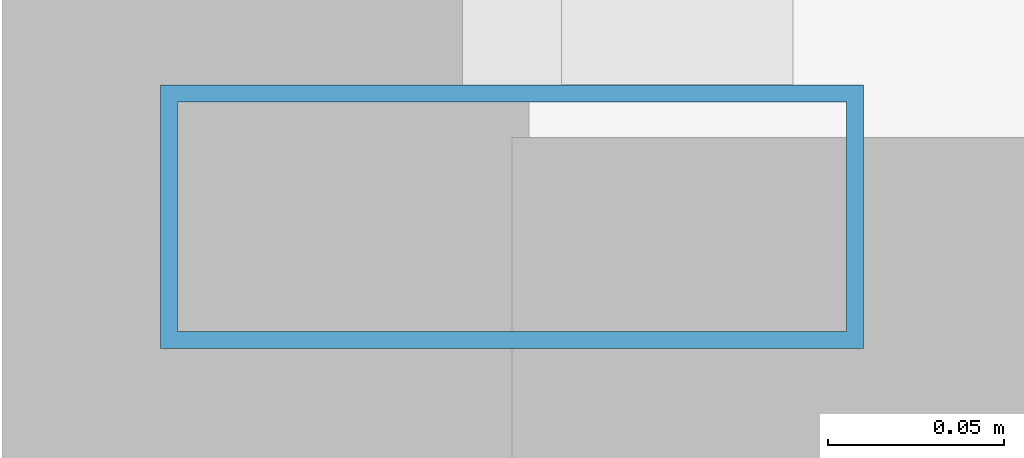
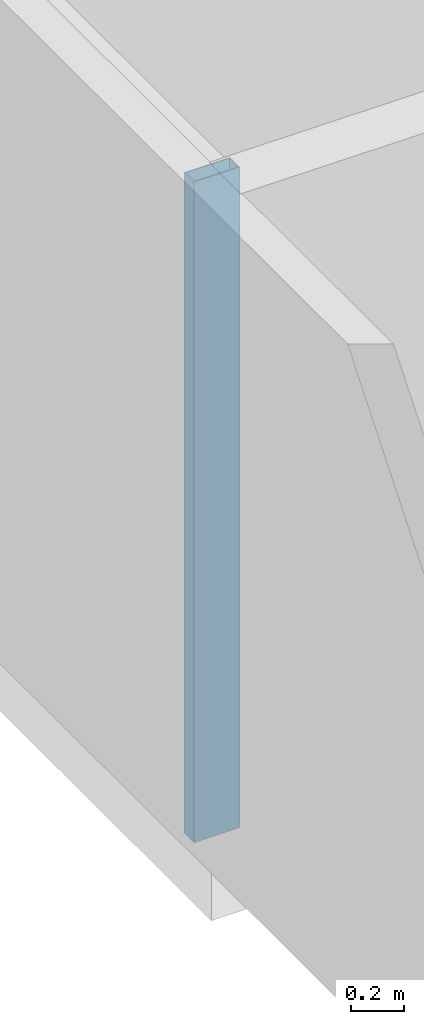
# One storey, part 2 of 23: 1 member, 1 element without a shape of its own.
"""IFC4 building model written with IfcOpenShell, lengths in metres."""

from ifc_helpers import new_model, si_unit, direction, frame, origin, origin_2d, place, context, subcontext, project, spatial, hollow_rectangle, extrude, source, transform, mapped, material, layer, layer_set, material_profile, profile_set, type_object, element, aggregate, save


model = new_model("IFC4")

# Units and contexts
model_context = context("Model", 3, precision=1e-05, world=origin(), true_north=direction((0.0, 1.0)))
body_context = subcontext(model_context, "Body", "Model", "MODEL_VIEW")
ifc_project = project(units=[si_unit("LENGTHUNIT", "METRE"), si_unit("AREAUNIT", "SQUARE_METRE"), si_unit("VOLUMEUNIT", "CUBIC_METRE"), si_unit("PLANEANGLEUNIT", "RADIAN"), si_unit("MASSUNIT", "GRAM", prefix="KILO")], contexts=[model_context])

# Site, building, storey
site_placement = place(None, origin())
site = spatial("IfcSite", under=ifc_project, at=site_placement, CompositionType="ELEMENT")
building_placement = place(site_placement, origin())
building = spatial("IfcBuilding", under=site, at=building_placement, Name="Zarnakvel Exchange Tower", CompositionType="ELEMENT")
storey_placement = place(building_placement, frame((0.0, 0.0, 149.5)))
storey = spatial("IfcBuildingStorey", under=building, at=storey_placement, Name="L41", CompositionType="ELEMENT", Elevation=149.5)

# Curtain wall, member
ifc_material = material(Name="Architectural Bronze Anodised Aluminium", Category="aluminium")
ifc_layer = layer(ifc_material, 0.199951171875)
ifc_layer_set = layer_set([ifc_layer], Name="Architectural Bronze Anodised Aluminium")
curtain_wall_type = type_object("IfcCurtainWallType", Name="CW-04", PredefinedType="NOTDEFINED", material=ifc_layer_set)
curtain_wall_placement = place(storey_placement, origin())
curtain_wall = element("IfcCurtainWall", 1, at=curtain_wall_placement, inside=storey, type_object=curtain_wall_type, Name="L41 Curtain Wall CW-L41-W1 (CW-04)", PredefinedType="NOTDEFINED")
ifc_material_profile = material_profile(ifc_material, hollow_rectangle(XDim=0.199951171875, YDim=0.074951171875, WallThickness=0.0048828125, at=origin_2d()))
ifc_profile_set = profile_set([ifc_material_profile], Name="Architectural Bronze Anodised Aluminium")
member_type = type_object("IfcMemberType", Name="CWM-04", PredefinedType="MULLION", material=ifc_profile_set)
shared_shape = source(origin(), body_context, "Body", "SweptSolid", [
    extrude(hollow_rectangle(XDim=0.199951171875, YDim=0.074951171875, WallThickness=0.0048828125, at=origin_2d()), origin(), (0.0, 0.0, 1.0), 3.054931640625),
])
member_placement = place(storey_placement, frame((-26.4599609375, -14.16259765625, 0.0), z_axis=(0.0, 0.0, 1.0), x_axis=(-1.0, 0.0, 0.0)))
member = element("IfcMember", 2, at=member_placement, type_object=member_type, Name="CW-04 mullion 1", PredefinedType="MULLION", context=body_context, shape_type="MappedRepresentation", body=[
    mapped(shared_shape, transform((0.0, 0.0, 0.0), x_axis=(1.0, 0.0, 0.0), y_axis=(0.0, 1.0, 0.0), z_axis=(0.0, 0.0, 1.0), scale=1.0)),
])
aggregate(curtain_wall, [member])

save(model, "model.ifc")
